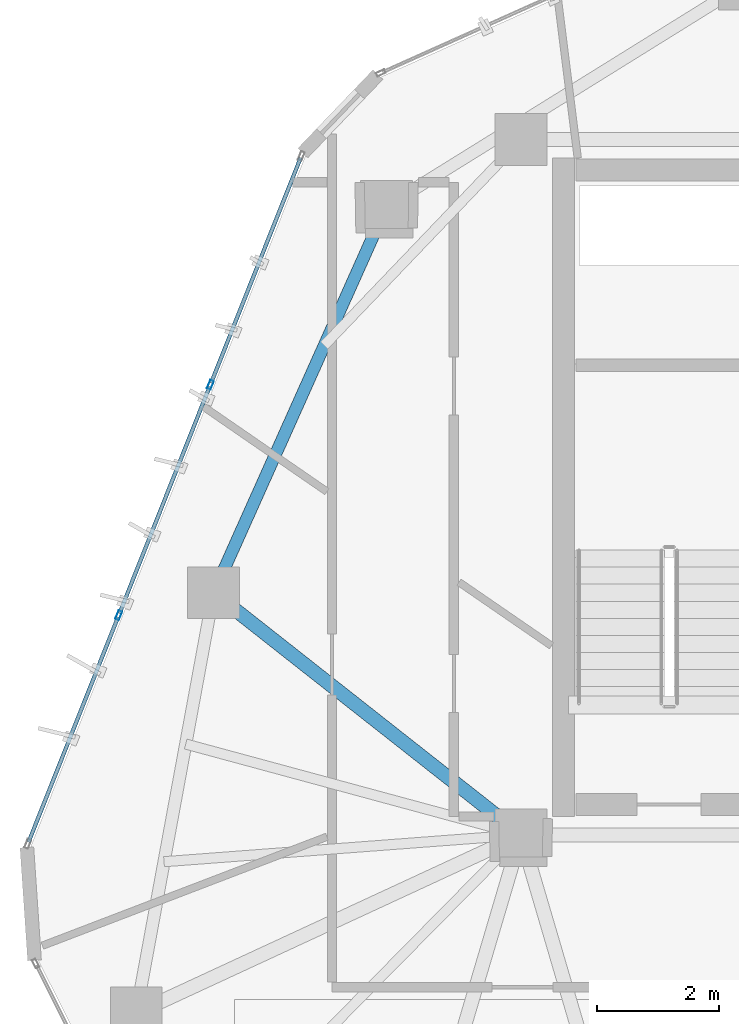
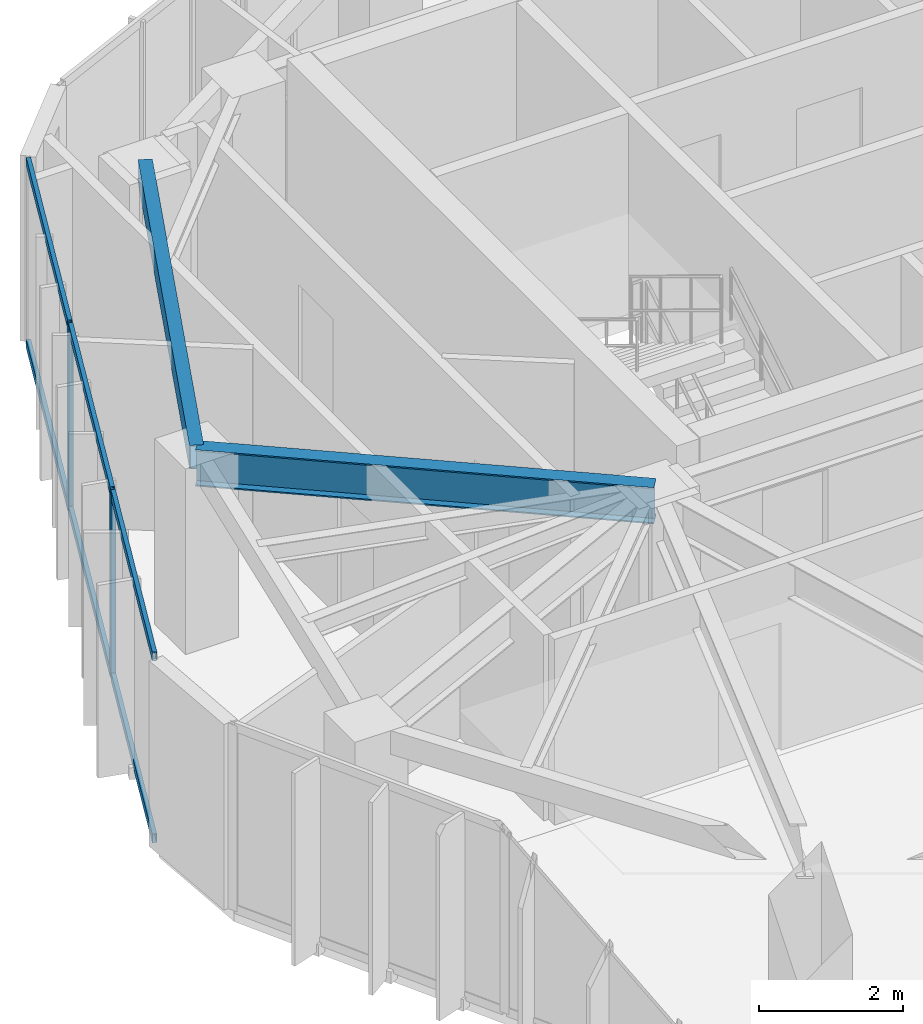
# One storey, part 7 of 21: 8 members, 2 beams, 1 element without a shape of its own.
"""IFC4 building model written with IfcOpenShell, lengths in metres."""

from ifc_helpers import new_model, si_unit, direction, frame, origin, origin_2d, place, context, subcontext, project, spatial, hollow_rectangle, i_section, extrude, source, transform, mapped, material, layer, layer_set, material_profile, profile_set, type_object, type_shapes, element, aggregate, save


model = new_model("IFC4")

# Units and contexts
model_context = context("Model", 3, precision=1e-05, world=origin(), true_north=direction((0.0, 1.0)))
body_context = subcontext(model_context, "Body", "Model", "MODEL_VIEW")
ifc_project = project(units=[si_unit("LENGTHUNIT", "METRE"), si_unit("AREAUNIT", "SQUARE_METRE"), si_unit("VOLUMEUNIT", "CUBIC_METRE"), si_unit("PLANEANGLEUNIT", "RADIAN"), si_unit("MASSUNIT", "GRAM", prefix="KILO")], contexts=[model_context])

# Site, building, storey
site_placement = place(None, origin())
site = spatial("IfcSite", under=ifc_project, at=site_placement, CompositionType="ELEMENT")
building_placement = place(site_placement, origin())
building = spatial("IfcBuilding", under=site, at=building_placement, Name="Talar Marvaseh", CompositionType="ELEMENT")
storey_placement = place(building_placement, frame((0.0, 0.0, 271.39990234375)))
storey = spatial("IfcBuildingStorey", under=building, at=storey_placement, Name="L72", CompositionType="ELEMENT", Elevation=271.39990234375)

# Beams
ifc_material_1 = material(Name="Steel S355", Category="steel")
ifc_material_profile_1 = material_profile(ifc_material_1, hollow_rectangle(XDim=0.199951171875, YDim=0.39990234375, WallThickness=0.013916015625, at=origin_2d()), Name="RHS400x200x14")
ifc_profile_set_1 = profile_set([ifc_material_profile_1], Name="Steel S355")
beam_type_1 = type_object("IfcBeamType", Name="Zone 3 Perimeter Spandrel Beam RHS400x200x14", PredefinedType="SPANDREL", material=ifc_profile_set_1)
beam_1_placement = place(storey_placement, frame((13.657958984375, 29.469970703125, 2.940185546875), z_axis=(0.408486346803, 0.912764429892, 0.0), x_axis=(-0.912764429892, 0.408486346803, 0.0)))
element("IfcBeam", 1, at=beam_1_placement, inside=storey, type_object=beam_type_1, Name="L72 Zone 3 Perimeter Spandrel Beam RHS400x200x14", PredefinedType="SPANDREL", context=body_context, shape_type="SweptSolid", body=[
    extrude(hollow_rectangle(XDim=0.199951171875, YDim=0.39990234375, WallThickness=0.013916015625, at=origin_2d()), origin(), (0.0, 0.0, 1.0), 6.942626953125),
])
ifc_material_profile_2 = material_profile(ifc_material_1, i_section(OverallWidth=0.22998046875, OverallDepth=0.616943359375, WebThickness=0.01318359375, FlangeThickness=0.022216796875, at=origin_2d()), Name="W610x140")
ifc_profile_set_2 = profile_set([ifc_material_profile_2], Name="Steel S355")
beam_type_2 = type_object("IfcBeamType", Name="Zone 4 Radial Floor Girder W610x140", PredefinedType="BEAM", material=ifc_profile_set_2)
beam_2_placement = place(storey_placement, frame((13.657958984375, 29.469970703125, 2.83154296875), z_axis=(0.785681617372, -0.618631066245, 0.0), x_axis=(0.618631066245, 0.785681617372, 0.0)))
element("IfcBeam", 2, at=beam_2_placement, inside=storey, type_object=beam_type_2, Name="L72 Zone 4 Radial Floor Girder W610x140", PredefinedType="BEAM", context=body_context, shape_type="SweptSolid", body=[
    extrude(i_section(OverallWidth=0.22998046875, OverallDepth=0.616943359375, WebThickness=0.01318359375, FlangeThickness=0.022216796875, at=origin_2d()), origin(), (0.0, 0.0, 1.0), 6.417236328125),
])

# Curtain wall, members
ifc_material_2 = material(Name="Architectural Aluminium", Category="aluminium")
ifc_layer = layer(ifc_material_2, 0.179931640625)
ifc_layer_set = layer_set([ifc_layer], Name="Architectural Aluminium")
curtain_wall_type = type_object("IfcCurtainWallType", Name="Unitised High-Wind Sky Curtain Wall Z4", PredefinedType="NOTDEFINED", material=ifc_layer_set)
curtain_wall_placement = place(storey_placement, origin())
curtain_wall = element("IfcCurtainWall", 3, at=curtain_wall_placement, inside=storey, type_object=curtain_wall_type, Name="L72 Unitised High-Wind Sky Curtain Wall Z4", PredefinedType="NOTDEFINED")
ifc_material_profile_3 = material_profile(ifc_material_2, hollow_rectangle(XDim=0.06494140625, YDim=0.14990234375, WallThickness=0.00390625, at=origin_2d()), Name="RHS150x65x4")
ifc_profile_set_3 = profile_set([ifc_material_profile_3], Name="Architectural Aluminium")
member_type_1 = type_object("IfcMemberType", Name="Unitised Curtain Wall Slim Transom RHS150x65x4", PredefinedType="USERDEFINED", material=ifc_profile_set_3)
shared_shape_1 = source(origin(), body_context, "Body", "SweptSolid", [
    extrude(hollow_rectangle(XDim=0.06494140625, YDim=0.14990234375, WallThickness=0.00390625, at=origin_2d()), origin(), (0.0, 0.0, 1.0), 3.97119140625),
])
member_1_placement = place(storey_placement, frame((10.6240234375, 25.3798828125, 0.03271484375), z_axis=(0.369428871635, 0.929259010611, 0.0), x_axis=(-0.929259010611, 0.369428871635, 0.0)))
member_1 = element("IfcMember", 4, at=member_1_placement, type_object=member_type_1, Name="CW-Z4 transom 1.1", ObjectType="TRANSOM", PredefinedType="USERDEFINED", context=body_context, shape_type="MappedRepresentation", body=[
    mapped(shared_shape_1, transform((0.0, 0.0, 0.0), x_axis=(1.0, 0.0, 0.0), y_axis=(0.0, 1.0, 0.0), z_axis=(0.0, 0.0, 1.0), scale=1.0)),
])
member_2_placement = place(storey_placement, frame((10.6240234375, 25.3798828125, 3.107666015625), z_axis=(0.369428871635, 0.929259010611, 0.0), x_axis=(-0.929259010611, 0.369428871635, 0.0)))
member_2 = element("IfcMember", 5, at=member_2_placement, type_object=member_type_1, Name="CW-Z4 transom 1.2", ObjectType="TRANSOM", PredefinedType="USERDEFINED", context=body_context, shape_type="MappedRepresentation", body=[
    mapped(shared_shape_1, transform((0.0, 0.0, 0.0), x_axis=(1.0, 0.0, 0.0), y_axis=(0.0, 1.0, 0.0), z_axis=(0.0, 0.0, 1.0), scale=1.0)),
])
member_3_placement = place(storey_placement, frame((13.6181640625, 32.9111328125, 0.03271484375), z_axis=(0.369481958539, 0.929237904045, 0.0), x_axis=(-0.929237904045, 0.369481958539, 0.0)))
member_3 = element("IfcMember", 6, at=member_3_placement, type_object=member_type_1, Name="CW-Z4 transom 3.1", ObjectType="TRANSOM", PredefinedType="USERDEFINED", context=body_context, shape_type="MappedRepresentation", body=[
    mapped(shared_shape_1, transform((0.0, 0.0, 0.0), x_axis=(1.0, 0.0, 0.0), y_axis=(0.0, 1.0, 0.0), z_axis=(0.0, 0.0, 1.0), scale=1.0)),
])
member_4_placement = place(storey_placement, frame((13.6181640625, 32.9111328125, 3.107666015625), z_axis=(0.369481958539, 0.929237904045, 0.0), x_axis=(-0.929237904045, 0.369481958539, 0.0)))
member_4 = element("IfcMember", 7, at=member_4_placement, type_object=member_type_1, Name="CW-Z4 transom 3.2", ObjectType="TRANSOM", PredefinedType="USERDEFINED", context=body_context, shape_type="MappedRepresentation", body=[
    mapped(shared_shape_1, transform((0.0, 0.0, 0.0), x_axis=(1.0, 0.0, 0.0), y_axis=(0.0, 1.0, 0.0), z_axis=(0.0, 0.0, 1.0), scale=1.0)),
])
shared_shape_2 = source(origin(), body_context, "Body", "SweptSolid", [
    extrude(hollow_rectangle(XDim=0.06494140625, YDim=0.14990234375, WallThickness=0.00390625, at=origin_2d()), origin(), (0.0, 0.0, 1.0), 4.003662109375),
])
type_shapes(member_type_1, [shared_shape_1, shared_shape_2])
member_5_placement = place(storey_placement, frame((12.114990234375, 29.13037109375, 0.03271484375), z_axis=(0.369465916844, 0.929244282355, 0.0), x_axis=(-0.929244282355, 0.369465916844, 0.0)))
member_5 = element("IfcMember", 8, at=member_5_placement, type_object=member_type_1, Name="CW-Z4 transom 2.1", ObjectType="TRANSOM", PredefinedType="USERDEFINED", context=body_context, shape_type="MappedRepresentation", body=[
    mapped(shared_shape_2, transform((0.0, 0.0, 0.0), x_axis=(1.0, 0.0, 0.0), y_axis=(0.0, 1.0, 0.0), z_axis=(0.0, 0.0, 1.0), scale=1.0)),
])
member_6_placement = place(storey_placement, frame((12.114990234375, 29.13037109375, 3.107666015625), z_axis=(0.369465916844, 0.929244282355, 0.0), x_axis=(-0.929244282355, 0.369465916844, 0.0)))
member_6 = element("IfcMember", 9, at=member_6_placement, type_object=member_type_1, Name="CW-Z4 transom 2.2", ObjectType="TRANSOM", PredefinedType="USERDEFINED", context=body_context, shape_type="MappedRepresentation", body=[
    mapped(shared_shape_2, transform((0.0, 0.0, 0.0), x_axis=(1.0, 0.0, 0.0), y_axis=(0.0, 1.0, 0.0), z_axis=(0.0, 0.0, 1.0), scale=1.0)),
])
ifc_material_profile_4 = material_profile(ifc_material_2, hollow_rectangle(XDim=0.06494140625, YDim=0.14990234375, WallThickness=0.00390625, at=origin_2d()), Name="RHS150x65x4")
ifc_profile_set_4 = profile_set([ifc_material_profile_4], Name="Architectural Aluminium")
member_type_2 = type_object("IfcMemberType", Name="Unitised Curtain Wall Slim Mullion RHS150x65x4", PredefinedType="MULLION", material=ifc_profile_set_4)
shared_shape_3 = source(origin(), body_context, "Body", "SweptSolid", [
    extrude(hollow_rectangle(XDim=0.06494140625, YDim=0.14990234375, WallThickness=0.00390625, at=origin_2d()), origin(), (0.0, 0.0, 1.0), 3.14013671875),
])
type_shapes(member_type_2, [shared_shape_3])
member_7_placement = place(storey_placement, frame((12.10302734375, 29.10009765625, 0.0), z_axis=(0.0, 0.0, 1.0), x_axis=(-0.929250430647, 0.369450452893, 0.0)))
member_7 = element("IfcMember", 10, at=member_7_placement, type_object=member_type_2, Name="CW-Z4 mullion 2", PredefinedType="MULLION", context=body_context, shape_type="MappedRepresentation", body=[
    mapped(shared_shape_3, transform((0.0, 0.0, 0.0), x_axis=(1.0, 0.0, 0.0), y_axis=(0.0, 1.0, 0.0), z_axis=(0.0, 0.0, 1.0), scale=1.0)),
])
member_8_placement = place(storey_placement, frame((13.606201171875, 32.881103515625, 0.0), z_axis=(0.0, 0.0, 1.0), x_axis=(-0.929250430647, 0.369450452893, 0.0)))
member_8 = element("IfcMember", 11, at=member_8_placement, type_object=member_type_2, Name="CW-Z4 mullion 3", PredefinedType="MULLION", context=body_context, shape_type="MappedRepresentation", body=[
    mapped(shared_shape_3, transform((0.0, 0.0, 0.0), x_axis=(1.0, 0.0, 0.0), y_axis=(0.0, 1.0, 0.0), z_axis=(0.0, 0.0, 1.0), scale=1.0)),
])
aggregate(curtain_wall, [member_7, member_8, member_1, member_2, member_5, member_6, member_3, member_4])

save(model, "model.ifc")
